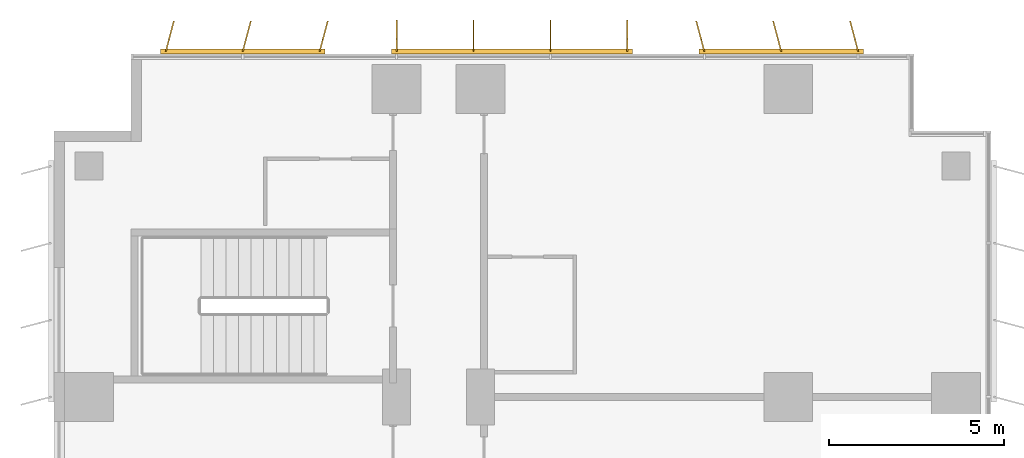
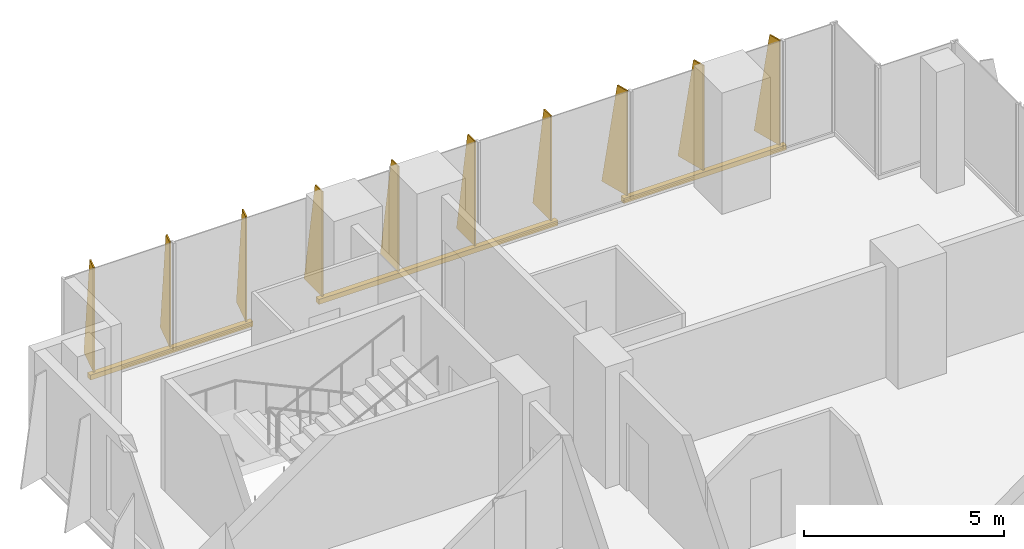
# One storey, part 24 of 24: 3 shading devices.
"""IFC4 building model written with IfcOpenShell, lengths in metres."""

from ifc_helpers import new_model, si_unit, direction, frame, origin, origin_2d, place, context, subcontext, project, spatial, polyline, rectangle, outline, extrude, source, transform, mapped, material, layer, layer_set, type_object, element, save


model = new_model("IFC4")

# Units and contexts
model_context = context("Model", 3, precision=1e-05, world=origin(), true_north=direction((0.0, 1.0)))
body_context = subcontext(model_context, "Body", "Model", "MODEL_VIEW")
ifc_project = project(units=[si_unit("LENGTHUNIT", "METRE"), si_unit("AREAUNIT", "SQUARE_METRE"), si_unit("VOLUMEUNIT", "CUBIC_METRE"), si_unit("PLANEANGLEUNIT", "RADIAN"), si_unit("MASSUNIT", "GRAM", prefix="KILO")], contexts=[model_context])

# Site, building, storey
site_placement = place(None, origin())
site = spatial("IfcSite", under=ifc_project, at=site_placement, CompositionType="ELEMENT")
building_placement = place(site_placement, origin())
building = spatial("IfcBuilding", under=site, at=building_placement, Name="Kemantara Hotel Tower", CompositionType="ELEMENT")
storey_placement = place(building_placement, frame((0.0, 0.0, 48.800048828125)))
storey = spatial("IfcBuildingStorey", under=building, at=storey_placement, Name="L10", CompositionType="ELEMENT", Elevation=48.800048828125)

# Shading devices
ifc_material = material(Name="Perforated aluminium plate 4 mm bronze anodised", Category="aluminium")
ifc_layer_1 = layer(ifc_material, 0.0400390625)
ifc_layer_set_1 = layer_set([ifc_layer_1], Name="Perforated aluminium plate 4 mm bronze anodised")
shading_device_type_1 = type_object("IfcShadingDeviceType", Name="SCREEN FIN CASSETTE, 3 BLADES AT -15.0 DEG, 3200 HIGH", PredefinedType="USERDEFINED", material=ifc_layer_set_1)
shared_shape_1 = source(origin(), body_context, "Body", "SweptSolid", [
    extrude(rectangle(XDim=4.699951171875, YDim=0.14990234375, at=origin_2d()), frame((2.199951171875, -0.074951171875, -0.14990234375), z_axis=(0.0, 0.0, 1.0), x_axis=(1.0, 0.0, 0.0)), (0.0, 0.0, 1.0), 0.14990234375),
    extrude(outline(polyline([(0.0, 0.0), (0.89990234375, 0.0), (0.35009765625, 3.199951171875), (0.0, 3.199951171875), (0.0, 0.0)])), frame((0.019287109375, -0.080078125, 0.0), z_axis=(-0.966437683387, 0.256901156343, 0.0), x_axis=(-0.256901156343, -0.966437683387, 0.0)), (0.0, 0.0, 1.0), 0.039794921875),
    extrude(outline(polyline([(0.0, 0.0), (0.89990234375, 0.0), (0.35009765625, 3.199951171875), (0.0, 3.199951171875), (0.0, 0.0)])), frame((2.21923828125, -0.080078125, 0.0), z_axis=(-0.966437683387, 0.256901156343, 0.0), x_axis=(-0.256901156343, -0.966437683387, 0.0)), (0.0, 0.0, 1.0), 0.039794921875),
    extrude(outline(polyline([(0.0, 0.0), (0.89990234375, 0.0), (0.35009765625, 3.199951171875), (0.0, 3.199951171875), (0.0, 0.0)])), frame((4.41943359375, -0.080078125, 0.0), z_axis=(-0.966837822169, 0.255391122837, 0.0), x_axis=(-0.255391122837, -0.966837822169, 0.0)), (0.0, 0.0, 1.0), 0.0400390625),
])
shading_device_1_placement = place(storey_placement, frame((7.60009765625, 81.199951171875, 0.099853515625), z_axis=(0.0, 0.0, 1.0), x_axis=(-1.0, 0.0, 0.0)))
element("IfcShadingDevice", 1, at=shading_device_1_placement, inside=storey, type_object=shading_device_type_1, Name="SCREEN FIN CASSETTE L10 T1-R11-3", ObjectType="SCREEN FIN", PredefinedType="USERDEFINED", context=body_context, shape_type="MappedRepresentation", body=[
    mapped(shared_shape_1, transform((0.0, 0.0, 0.0))),
])
ifc_layer_2 = layer(ifc_material, 0.0400390625)
ifc_layer_set_2 = layer_set([ifc_layer_2], Name="Perforated aluminium plate 4 mm bronze anodised")
shading_device_type_2 = type_object("IfcShadingDeviceType", Name="SCREEN FIN CASSETTE, 4 BLADES AT +0.0 DEG, 3200 HIGH", PredefinedType="USERDEFINED", material=ifc_layer_set_2)
shared_shape_2 = source(origin(), body_context, "Body", "SweptSolid", [
    extrude(rectangle(XDim=6.89990234375, YDim=0.14990234375, at=origin_2d()), frame((3.300048828125, -0.074951171875, -0.14990234375), z_axis=(0.0, 0.0, 1.0), x_axis=(1.0, 0.0, 0.0)), (0.0, 0.0, 1.0), 0.14990234375),
    extrude(outline(polyline([(0.0, 0.0), (0.89990234375, 0.0), (0.35009765625, 3.199951171875), (0.0, 3.199951171875), (0.0, 0.0)])), frame((0.02001953125, -0.074951171875, 0.0), z_axis=(-1.0, 0.0, 0.0), x_axis=(0.0, -1.0, 0.0)), (0.0, 0.0, 1.0), 0.0400390625),
    extrude(outline(polyline([(0.0, 0.0), (0.89990234375, 0.0), (0.35009765625, 3.199951171875), (0.0, 3.199951171875), (0.0, 0.0)])), frame((2.219970703125, -0.074951171875, 0.0), z_axis=(-1.0, 0.0, 0.0), x_axis=(0.0, -1.0, 0.0)), (0.0, 0.0, 1.0), 0.0400390625),
    extrude(outline(polyline([(0.0, 0.0), (0.89990234375, 0.0), (0.35009765625, 3.199951171875), (0.0, 3.199951171875), (0.0, 0.0)])), frame((4.419921875, -0.074951171875, 0.0), z_axis=(-1.0, 0.0, 0.0), x_axis=(0.0, -1.0, 0.0)), (0.0, 0.0, 1.0), 0.0400390625),
    extrude(outline(polyline([(0.0, 0.0), (0.89990234375, 0.0), (0.35009765625, 3.199951171875), (0.0, 3.199951171875), (0.0, 0.0)])), frame((6.6201171875, -0.074951171875, 0.0), z_axis=(-1.0, 0.0, 0.0), x_axis=(0.0, -1.0, 0.0)), (0.0, 0.0, 1.0), 0.0400390625),
])
shading_device_2_placement = place(storey_placement, frame((16.39990234375, 81.199951171875, 0.099853515625), z_axis=(0.0, 0.0, 1.0), x_axis=(-1.0, 0.0, 0.0)))
element("IfcShadingDevice", 2, at=shading_device_2_placement, inside=storey, type_object=shading_device_type_2, Name="SCREEN FIN CASSETTE L10 T1-R11-2", ObjectType="SCREEN FIN", PredefinedType="USERDEFINED", context=body_context, shape_type="MappedRepresentation", body=[
    mapped(shared_shape_2, transform((0.0, 0.0, 0.0))),
])
ifc_layer_3 = layer(ifc_material, 0.0400390625)
ifc_layer_set_3 = layer_set([ifc_layer_3], Name="Perforated aluminium plate 4 mm bronze anodised")
shading_device_type_3 = type_object("IfcShadingDeviceType", Name="SCREEN FIN CASSETTE, 3 BLADES AT +15.0 DEG, 3200 HIGH", PredefinedType="USERDEFINED", material=ifc_layer_set_3)
shared_shape_3 = source(origin(), body_context, "Body", "SweptSolid", [
    extrude(rectangle(XDim=4.699951171875, YDim=0.14990234375, at=origin_2d()), frame((2.199951171875, -0.074951171875, -0.14990234375), z_axis=(0.0, 0.0, 1.0), x_axis=(1.0, 0.0, 0.0)), (0.0, 0.0, 1.0), 0.14990234375),
    extrude(outline(polyline([(0.0, 0.0), (0.89990234375, 0.0), (0.35009765625, 3.199951171875), (0.0, 3.199951171875), (0.0, 0.0)])), frame((0.019287109375, -0.06982421875, 0.0), z_axis=(-0.966437683387, -0.256901156343, 0.0), x_axis=(0.256901156343, -0.966437683387, 0.0)), (0.0, 0.0, 1.0), 0.039794921875),
    extrude(outline(polyline([(0.0, 0.0), (0.89990234375, 0.0), (0.35009765625, 3.199951171875), (0.0, 3.199951171875), (0.0, 0.0)])), frame((2.21923828125, -0.06982421875, 0.0), z_axis=(-0.966437683387, -0.256901156343, 0.0), x_axis=(0.256901156343, -0.966437683387, 0.0)), (0.0, 0.0, 1.0), 0.039794921875),
    extrude(outline(polyline([(0.0, 0.0), (0.89990234375, 0.0), (0.35009765625, 3.199951171875), (0.0, 3.199951171875), (0.0, 0.0)])), frame((4.41943359375, -0.06982421875, 0.0), z_axis=(-0.966837822169, -0.255391122837, 0.0), x_axis=(0.255391122837, -0.966837822169, 0.0)), (0.0, 0.0, 1.0), 0.0400390625),
])
shading_device_3_placement = place(storey_placement, frame((23.0, 81.199951171875, 0.099853515625), z_axis=(0.0, 0.0, 1.0), x_axis=(-1.0, 0.0, 0.0)))
element("IfcShadingDevice", 3, at=shading_device_3_placement, inside=storey, type_object=shading_device_type_3, Name="SCREEN FIN CASSETTE L10 T1-R11-1", ObjectType="SCREEN FIN", PredefinedType="USERDEFINED", context=body_context, shape_type="MappedRepresentation", body=[
    mapped(shared_shape_3, transform((0.0, 0.0, 0.0))),
])

save(model, "model.ifc")
